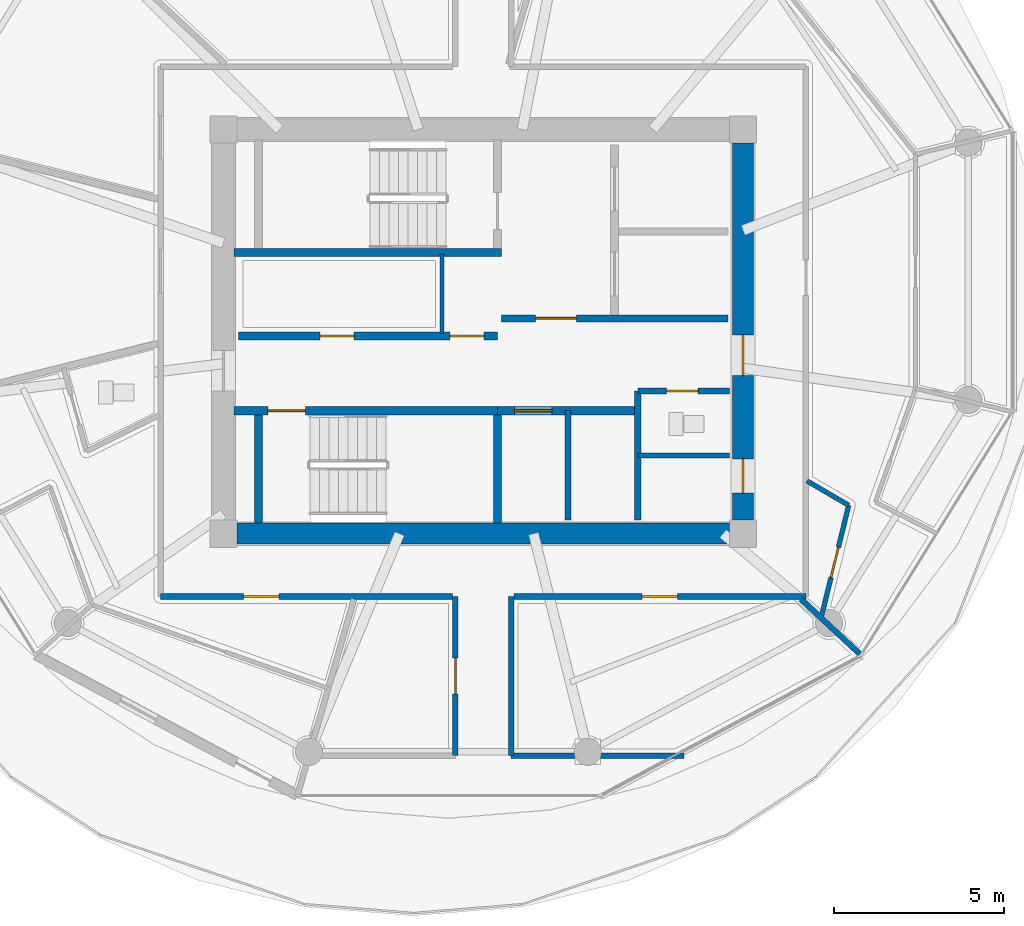
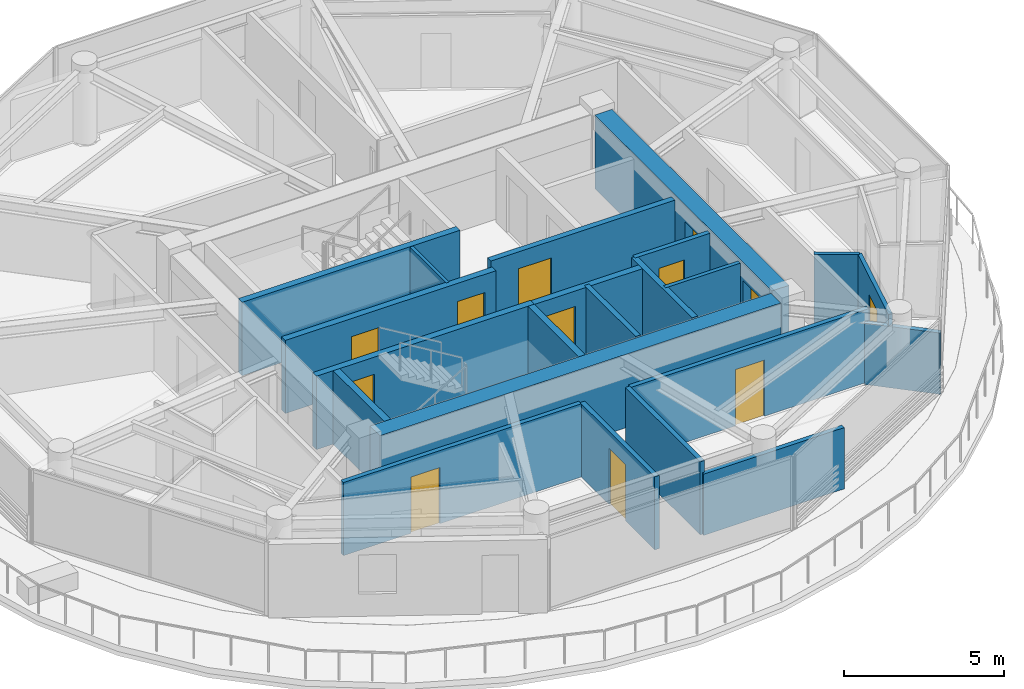
# One storey, part 16 of 28: 22 walls, 12 doors, 12 openings.
"""IFC4 building model written with IfcOpenShell, lengths in metres."""

from ifc_helpers import new_model, si_unit, direction, frame, frame_2d, origin, place, context, subcontext, project, spatial, rectangle, extrude, source, transform, mapped, material, layer, layer_set, type_object, type_shapes, element, fill, save


model = new_model("IFC4")

# Units and contexts
model_context = context("Model", 3, precision=1e-05, world=origin(), true_north=direction((0.0, 1.0)))
body_context = subcontext(model_context, "Body", "Model", "MODEL_VIEW")
ifc_project = project(units=[si_unit("LENGTHUNIT", "METRE"), si_unit("AREAUNIT", "SQUARE_METRE"), si_unit("VOLUMEUNIT", "CUBIC_METRE"), si_unit("PLANEANGLEUNIT", "RADIAN"), si_unit("MASSUNIT", "GRAM", prefix="KILO")], contexts=[model_context])

# Site, building, storey
site_placement = place(None, origin())
site = spatial("IfcSite", under=ifc_project, at=site_placement, CompositionType="ELEMENT")
building_placement = place(site_placement, origin())
building = spatial("IfcBuilding", under=site, at=building_placement, Name="Norrkilde Senior Care Towers", CompositionType="ELEMENT")
storey_placement = place(building_placement, frame((0.0, 0.0, 134.300048828125)))
storey = spatial("IfcBuildingStorey", under=building, at=storey_placement, Name="L41", CompositionType="ELEMENT", Elevation=134.300048828125)

# Wall
ifc_material_1 = material(Name="Concrete C50/60", Category="concrete")
ifc_layer_1 = layer(ifc_material_1, 0.6201171875)
ifc_layer_set_1 = layer_set([ifc_layer_1], Name="Concrete C50/60")
wall_type_1 = type_object("IfcWallType", Name="Core Shear Wall Z3 620", PredefinedType="SHEAR", material=ifc_layer_set_1)
shared_shape_1 = source(origin(), body_context, "Body", "SweptSolid", [
    extrude(rectangle(XDim=14.5, YDim=0.6201171875, at=frame_2d((7.25, 0.0))), origin(), (0.0, 0.0, 1.0), 2.81005859375),
])
wall_1_placement = place(storey_placement, frame((35.25, -5.949951171875, 0.0), z_axis=(0.0, 0.0, 1.0), x_axis=(-1.0, 0.0, 0.0)))
element("IfcWall", 1, at=wall_1_placement, inside=storey, type_object=wall_type_1, Name="L41 Core E South Shear Wall", PredefinedType="SHEAR", context=body_context, shape_type="MappedRepresentation", body=[
    mapped(shared_shape_1, transform((0.0, 0.0, 0.0), x_axis=(1.0, 0.0, 0.0), y_axis=(0.0, 1.0, 0.0), z_axis=(0.0, 0.0, 1.0), scale=1.0)),
])

# Wall, openings, doors
shared_shape_2 = source(origin(), body_context, "Body", "SweptSolid", [
    extrude(rectangle(XDim=11.10009765625, YDim=0.6201171875, at=frame_2d((5.550048828125, 0.0))), origin(), (0.0, 0.0, 1.0), 2.81005859375),
])
type_shapes(wall_type_1, [shared_shape_1, shared_shape_2])
wall_2_placement = place(storey_placement, frame((35.64990234375, 5.550048828125, 0.0), z_axis=(0.0, 0.0, 1.0), x_axis=(0.0, -1.0, 0.0)))
wall_2 = element("IfcWall", 2, at=wall_2_placement, inside=storey, type_object=wall_type_1, Name="L41 Core E East Shear Wall", PredefinedType="SHEAR", context=body_context, shape_type="MappedRepresentation", body=[
    mapped(shared_shape_2, transform((0.0, 0.0, 0.0), x_axis=(1.0, 0.0, 0.0), y_axis=(0.0, 1.0, 0.0), z_axis=(0.0, 0.0, 1.0), scale=1.0)),
])
opening_1_placement = place(wall_2_placement, frame((5.64990234375, 0.0, 0.0)))
opening_1 = element("IfcOpeningElement", 3, at=opening_1_placement, cuts=wall_2, Name="Opening D-04", PredefinedType="OPENING", context=body_context, shape_type="SweptSolid", body=[
    extrude(rectangle(XDim=1.199951171875, YDim=2.14990234375, at=frame_2d((0.60009765625, 1.074951171875))), frame((0.0, 0.320068359375, 0.0), z_axis=(0.0, -1.0, 0.0), x_axis=(1.0, 0.0, 0.0)), (0.0, 0.0, 1.0), 0.64013671875),
])
opening_2_placement = place(wall_2_placement, frame((9.300048828125, 0.0, 0.0)))
opening_2 = element("IfcOpeningElement", 4, at=opening_2_placement, cuts=wall_2, Name="Opening D-10", PredefinedType="OPENING", context=body_context, shape_type="SweptSolid", body=[
    extrude(rectangle(XDim=1.0, YDim=2.10009765625, at=frame_2d((0.5, 1.050048828125))), frame((0.0, 0.320068359375, 0.0), z_axis=(0.0, -1.0, 0.0), x_axis=(1.0, 0.0, 0.0)), (0.0, 0.0, 1.0), 0.64013671875),
])
ifc_material_2 = material(Name="Galvanised Painted Steel", Category="steel")
door_type_1 = type_object("IfcDoorType", Name="Firefighting Lobby Fire Door 1200x2150", OperationType="NOTDEFINED", PredefinedType="DOOR", material=ifc_material_2)
shared_shape_3 = source(origin(), body_context, "Body", "SweptSolid", [
    extrude(rectangle(XDim=1.199951171875, YDim=2.14990234375, at=frame_2d((0.60009765625, 1.074951171875))), frame((0.0, 0.02490234375, 0.0), z_axis=(0.0, -1.0, 0.0), x_axis=(1.0, 0.0, 0.0)), (0.0, 0.0, 1.0), 0.050048828125),
])
type_shapes(door_type_1, [shared_shape_3])
door_1_placement = place(opening_1_placement, frame((1.199951171875, 0.0, 0.0), z_axis=(0.0, 0.0, 1.0), x_axis=(-1.0, 0.0, 0.0)))
door_1 = element("IfcDoor", 5, at=door_1_placement, inside=storey, type_object=door_type_1, Name="L41 Core E East Portal Door", OperationType="SINGLE_SWING_RIGHT", OverallHeight=2.14990234375, OverallWidth=1.199951171875, PredefinedType="DOOR", context=body_context, shape_type="MappedRepresentation", body=[
    mapped(shared_shape_3, transform((0.0, 0.0, 0.0), x_axis=(1.0, 0.0, 0.0), y_axis=(0.0, 1.0, 0.0), z_axis=(0.0, 0.0, 1.0), scale=1.0)),
])
fill(opening_1, door_1)
door_type_2 = type_object("IfcDoorType", Name="Plant and Riser Rated Door 1000x2100", OperationType="NOTDEFINED", PredefinedType="DOOR", material=ifc_material_2)
shared_shape_4 = source(origin(), body_context, "Body", "SweptSolid", [
    extrude(rectangle(XDim=1.0, YDim=2.10009765625, at=frame_2d((0.5, 1.050048828125))), frame((0.0, 0.02490234375, 0.0), z_axis=(0.0, -1.0, 0.0), x_axis=(1.0, 0.0, 0.0)), (0.0, 0.0, 1.0), 0.050048828125),
])
type_shapes(door_type_2, [shared_shape_4])
door_2_placement = place(opening_2_placement, frame((1.0, 0.0, 0.0), z_axis=(0.0, 0.0, 1.0), x_axis=(-1.0, 0.0, 0.0)))
door_2 = element("IfcDoor", 6, at=door_2_placement, inside=storey, type_object=door_type_2, Name="L41 Ventilation Riser E Door", OperationType="SINGLE_SWING_RIGHT", OverallHeight=2.10009765625, OverallWidth=1.0, PredefinedType="DOOR", context=body_context, shape_type="MappedRepresentation", body=[
    mapped(shared_shape_4, transform((0.0, 0.0, 0.0), x_axis=(1.0, 0.0, 0.0), y_axis=(0.0, 1.0, 0.0), z_axis=(0.0, 0.0, 1.0), scale=1.0)),
])
fill(opening_2, door_2)

# Wall
ifc_material_3 = material(Name="Concrete C45/55", Category="concrete")
ifc_layer_2 = layer(ifc_material_3, 0.239990234375)
ifc_layer_set_2 = layer_set([ifc_layer_2], Name="Concrete C45/55")
wall_type_2 = type_object("IfcWallType", Name="Shaft and Stair Enclosure Wall 240", PredefinedType="PARTITIONING", material=ifc_layer_set_2)
shared_shape_5 = source(origin(), body_context, "Body", "SweptSolid", [
    extrude(rectangle(XDim=7.880126953125, YDim=0.239990234375, at=frame_2d((3.93994140625, 0.0))), origin(), (0.0, 0.0, 1.0), 2.81005859375),
])
wall_3_placement = place(storey_placement, frame((20.659912109375, 2.330078125, 0.0), z_axis=(0.0, 0.0, 1.0), x_axis=(1.0, 0.0, 0.0)))
element("IfcWall", 7, at=wall_3_placement, inside=storey, type_object=wall_type_2, Name="WL-INT-L41-E-ST1S", PredefinedType="PARTITIONING", context=body_context, shape_type="MappedRepresentation", body=[
    mapped(shared_shape_5, transform((0.0, 0.0, 0.0), x_axis=(1.0, 0.0, 0.0), y_axis=(0.0, 1.0, 0.0), z_axis=(0.0, 0.0, 1.0), scale=1.0)),
])

# Wall, opening, door
wall_4_placement = place(storey_placement, frame((20.659912109375, -2.330078125, 0.0), z_axis=(0.0, 0.0, 1.0), x_axis=(1.0, 0.0, 0.0)))
wall_4 = element("IfcWall", 8, at=wall_4_placement, inside=storey, type_object=wall_type_2, Name="WL-INT-L41-E-ST2N", PredefinedType="PARTITIONING", context=body_context, shape_type="MappedRepresentation", body=[
    mapped(shared_shape_5, transform((0.0, 0.0, 0.0), x_axis=(1.0, 0.0, 0.0), y_axis=(0.0, 1.0, 0.0), z_axis=(0.0, 0.0, 1.0), scale=1.0)),
])
opening_3_placement = place(wall_4_placement, frame((1.0, 0.0, 0.0)))
opening_3 = element("IfcOpeningElement", 9, at=opening_3_placement, cuts=wall_4, Name="Opening D-03", PredefinedType="OPENING", context=body_context, shape_type="SweptSolid", body=[
    extrude(rectangle(XDim=1.10009765625, YDim=2.14990234375, at=frame_2d((0.550048828125, 1.074951171875))), frame((0.0, 0.1298828125, 0.0), z_axis=(0.0, -1.0, 0.0), x_axis=(1.0, 0.0, 0.0)), (0.0, 0.0, 1.0), 0.260009765625),
])
door_type_3 = type_object("IfcDoorType", Name="Stairwell Protected Fire Door 1100x2150", OperationType="NOTDEFINED", PredefinedType="DOOR", material=ifc_material_2)
shared_shape_6 = source(origin(), body_context, "Body", "SweptSolid", [
    extrude(rectangle(XDim=1.10009765625, YDim=2.14990234375, at=frame_2d((0.550048828125, 1.074951171875))), frame((0.0, 0.02490234375, 0.0), z_axis=(0.0, -1.0, 0.0), x_axis=(1.0, 0.0, 0.0)), (0.0, 0.0, 1.0), 0.050048828125),
])
type_shapes(door_type_3, [shared_shape_6])
door_3_placement = place(opening_3_placement, frame((1.10009765625, 0.0, 0.0), z_axis=(0.0, 0.0, 1.0), x_axis=(-1.0, 0.0, 0.0)))
door_3 = element("IfcDoor", 10, at=door_3_placement, inside=storey, type_object=door_type_3, Name="L41 Stair E2 Fire Door", OperationType="SINGLE_SWING_RIGHT", OverallHeight=2.14990234375, OverallWidth=1.10009765625, PredefinedType="DOOR", context=body_context, shape_type="MappedRepresentation", body=[
    mapped(shared_shape_6, transform((0.0, 0.0, 0.0), x_axis=(1.0, 0.0, 0.0), y_axis=(0.0, 1.0, 0.0), z_axis=(0.0, 0.0, 1.0), scale=1.0)),
])
fill(opening_3, door_3)

# Walls
shared_shape_7 = source(origin(), body_context, "Body", "SweptSolid", [
    extrude(rectangle(XDim=3.18994140625, YDim=0.239990234375, at=frame_2d((1.594970703125, 0.0))), origin(), (0.0, 0.0, 1.0), 2.81005859375),
])
type_shapes(wall_type_2, [shared_shape_5, shared_shape_7])
for number, where, z_axis, x_axis, name in (
    (11, (21.3798828125, -5.639892578125, 0.0), (0.0, 0.0, 1.0), (0.0, 1.0, 0.0), "WL-INT-L41-E-ST2W"),
    (12, (28.419921875, -5.639892578125, 0.0), (0.0, 0.0, 1.0), (0.0, 1.0, 0.0), "WL-INT-L41-E-ST2E"),
):
    element("IfcWall", number, at=place(storey_placement, frame(where, z_axis=z_axis, x_axis=x_axis)), inside=storey, type_object=wall_type_2, Name=name, PredefinedType="PARTITIONING", context=body_context, shape_type="MappedRepresentation", body=[
        mapped(shared_shape_7, transform((0.0, 0.0, 0.0), x_axis=(1.0, 0.0, 0.0), y_axis=(0.0, 1.0, 0.0), z_axis=(0.0, 0.0, 1.0), scale=1.0)),
    ])

# Wall, opening, door
ifc_layer_3 = layer(ifc_material_3, 0.2099609375)
ifc_layer_set_3 = layer_set([ifc_layer_3], Name="Concrete C45/55")
wall_type_3 = type_object("IfcWallType", Name="Firefighting Lobby Wall 210", PredefinedType="PARTITIONING", material=ifc_layer_set_3)
shared_shape_8 = source(origin(), body_context, "Body", "SweptSolid", [
    extrude(rectangle(XDim=6.659912109375, YDim=0.2099609375, at=frame_2d((3.330078125, 0.0))), origin(), (0.0, 0.0, 1.0), 2.794921875),
])
type_shapes(wall_type_3, [shared_shape_8])
wall_5_placement = place(storey_placement, frame((28.5400390625, 0.389892578125, 0.0), z_axis=(0.0, 0.0, 1.0), x_axis=(1.0, 0.0, 0.0)))
wall_5 = element("IfcWall", 13, at=wall_5_placement, inside=storey, type_object=wall_type_3, Name="WL-INT-L41-E-FFLS", PredefinedType="PARTITIONING", context=body_context, shape_type="MappedRepresentation", body=[
    mapped(shared_shape_8, transform((0.0, 0.0, 0.0), x_axis=(1.0, 0.0, 0.0), y_axis=(0.0, 1.0, 0.0), z_axis=(0.0, 0.0, 1.0), scale=1.0)),
])
opening_4_placement = place(wall_5_placement, frame((1.0, 0.0, 0.0)))
opening_4 = element("IfcOpeningElement", 14, at=opening_4_placement, cuts=wall_5, Name="Opening D-04", PredefinedType="OPENING", context=body_context, shape_type="SweptSolid", body=[
    extrude(rectangle(XDim=1.199951171875, YDim=2.14990234375, at=frame_2d((0.60009765625, 1.074951171875))), frame((0.0, 0.114990234375, 0.0), z_axis=(0.0, -1.0, 0.0), x_axis=(1.0, 0.0, 0.0)), (0.0, 0.0, 1.0), 0.22998046875),
])
door_4_placement = place(opening_4_placement, frame((1.199951171875, 0.0, 0.0), z_axis=(0.0, 0.0, 1.0), x_axis=(-1.0, 0.0, 0.0)))
door_4 = element("IfcDoor", 15, at=door_4_placement, inside=storey, type_object=door_type_1, Name="L41 Firefighting Lobby E Door", OperationType="SINGLE_SWING_LEFT", OverallHeight=2.14990234375, OverallWidth=1.199951171875, PredefinedType="DOOR", context=body_context, shape_type="MappedRepresentation", body=[
    mapped(shared_shape_3, transform((0.0, 0.0, 0.0), x_axis=(1.0, 0.0, 0.0), y_axis=(0.0, 1.0, 0.0), z_axis=(0.0, 0.0, 1.0), scale=1.0)),
])
fill(opening_4, door_4)

# Wall, openings, doors
ifc_layer_4 = layer(ifc_material_3, 0.239990234375)
ifc_layer_set_4 = layer_set([ifc_layer_4], Name="Concrete C45/55")
wall_type_4 = type_object("IfcWallType", Name="Lift and Plant Rated Enclosure Partition 240", PredefinedType="PARTITIONING", material=ifc_layer_set_4)
shared_shape_9 = source(origin(), body_context, "Body", "SweptSolid", [
    extrude(rectangle(XDim=7.619873046875, YDim=0.239990234375, at=frame_2d((3.81005859375, 0.0))), origin(), (0.0, 0.0, 1.0), 2.794921875),
])
wall_6_placement = place(storey_placement, frame((20.800048828125, -0.1298828125, 0.0), z_axis=(0.0, 0.0, 1.0), x_axis=(1.0, 0.0, 0.0)))
wall_6 = element("IfcWall", 16, at=wall_6_placement, inside=storey, type_object=wall_type_4, Name="WL-INT-L41-E-PKAS", PredefinedType="PARTITIONING", context=body_context, shape_type="MappedRepresentation", body=[
    mapped(shared_shape_9, transform((0.0, 0.0, 0.0), x_axis=(1.0, 0.0, 0.0), y_axis=(0.0, 1.0, 0.0), z_axis=(0.0, 0.0, 1.0), scale=1.0)),
])
opening_5_placement = place(wall_6_placement, frame((6.219970703125, 0.0, 0.0)))
opening_5 = element("IfcOpeningElement", 17, at=opening_5_placement, cuts=wall_6, Name="Opening D-10", PredefinedType="OPENING", context=body_context, shape_type="SweptSolid", body=[
    extrude(rectangle(XDim=1.0, YDim=2.10009765625, at=frame_2d((0.5, 1.050048828125))), frame((0.0, 0.1298828125, 0.0), z_axis=(0.0, -1.0, 0.0), x_axis=(1.0, 0.0, 0.0)), (0.0, 0.0, 1.0), 0.260009765625),
])
opening_6_placement = place(wall_6_placement, frame((2.39990234375, 0.0, 0.0)))
opening_6 = element("IfcOpeningElement", 18, at=opening_6_placement, cuts=wall_6, Name="Opening D-10", PredefinedType="OPENING", context=body_context, shape_type="SweptSolid", body=[
    extrude(rectangle(XDim=1.0, YDim=2.10009765625, at=frame_2d((0.5, 1.050048828125))), frame((0.0, 0.1298828125, 0.0), z_axis=(0.0, -1.0, 0.0), x_axis=(1.0, 0.0, 0.0)), (0.0, 0.0, 1.0), 0.260009765625),
])
door_5_placement = place(opening_5_placement, frame((1.0, 0.0, 0.0), z_axis=(0.0, 0.0, 1.0), x_axis=(-1.0, 0.0, 0.0)))
door_5 = element("IfcDoor", 19, at=door_5_placement, inside=storey, type_object=door_type_2, Name="L41 Electrical Riser E Door", OperationType="SINGLE_SWING_LEFT", OverallHeight=2.10009765625, OverallWidth=1.0, PredefinedType="DOOR", context=body_context, shape_type="MappedRepresentation", body=[
    mapped(shared_shape_4, transform((0.0, 0.0, 0.0), x_axis=(1.0, 0.0, 0.0), y_axis=(0.0, 1.0, 0.0), z_axis=(0.0, 0.0, 1.0), scale=1.0)),
])
fill(opening_5, door_5)
door_6_placement = place(opening_6_placement, frame((1.0, 0.0, 0.0), z_axis=(0.0, 0.0, 1.0), x_axis=(-1.0, 0.0, 0.0)))
door_6 = element("IfcDoor", 20, at=door_6_placement, inside=storey, type_object=door_type_2, Name="L41 Clean Supply Store E Door", OperationType="SINGLE_SWING_LEFT", OverallHeight=2.10009765625, OverallWidth=1.0, PredefinedType="DOOR", context=body_context, shape_type="MappedRepresentation", body=[
    mapped(shared_shape_4, transform((0.0, 0.0, 0.0), x_axis=(1.0, 0.0, 0.0), y_axis=(0.0, 1.0, 0.0), z_axis=(0.0, 0.0, 1.0), scale=1.0)),
])
fill(opening_6, door_6)

# Walls
ifc_material_4 = material(Name="Gypsum Acoustic Board")
ifc_layer_5 = layer(ifc_material_4, 0.114990234375)
ifc_layer_set_5 = layer_set([ifc_layer_5], Name="Gypsum Acoustic Board")
wall_type_5 = type_object("IfcWallType", Name="Internal Room Partition 115", PredefinedType="PARTITIONING", material=ifc_layer_set_5)
shared_shape_10 = source(origin(), body_context, "Body", "SweptSolid", [
    extrude(rectangle(XDim=2.330078125, YDim=0.114990234375, at=frame_2d((1.1650390625, 0.0))), origin(), (0.0, 0.0, 1.0), 2.794921875),
])
type_shapes(wall_type_5, [shared_shape_10])
wall_7_placement = place(storey_placement, frame((26.7900390625, -0.050048828125, 0.0), z_axis=(0.0, 0.0, 1.0), x_axis=(0.0, 1.0, 0.0)))
element("IfcWall", 21, at=wall_7_placement, inside=storey, type_object=wall_type_5, Name="WL-INT-L41-E-RISW", PredefinedType="PARTITIONING", context=body_context, shape_type="MappedRepresentation", body=[
    mapped(shared_shape_10, transform((0.0, 0.0, 0.0), x_axis=(1.0, 0.0, 0.0), y_axis=(0.0, 1.0, 0.0), z_axis=(0.0, 0.0, 1.0), scale=1.0)),
])
ifc_layer_6 = layer(ifc_material_3, 0.199951171875)
ifc_layer_set_6 = layer_set([ifc_layer_6], Name="Concrete C45/55")
wall_type_6 = type_object("IfcWallType", Name="Shaft Division and Plant Partition 200", PredefinedType="PARTITIONING", material=ifc_layer_set_6)
shared_shape_11 = source(origin(), body_context, "Body", "SweptSolid", [
    extrude(rectangle(XDim=3.800048828125, YDim=0.199951171875, at=frame_2d((1.89990234375, 0.0))), origin(), (0.0, 0.0, 1.0), 2.794921875),
])
type_shapes(wall_type_6, [shared_shape_11])
wall_8_placement = place(storey_placement, frame((32.550048828125, -5.550048828125, 0.0), z_axis=(0.0, 0.0, 1.0), x_axis=(0.0, 1.0, 0.0)))
element("IfcWall", 22, at=wall_8_placement, inside=storey, type_object=wall_type_6, Name="WL-INT-L41-E-PKBE", PredefinedType="PARTITIONING", context=body_context, shape_type="MappedRepresentation", body=[
    mapped(shared_shape_11, transform((0.0, 0.0, 0.0), x_axis=(1.0, 0.0, 0.0), y_axis=(0.0, 1.0, 0.0), z_axis=(0.0, 0.0, 1.0), scale=1.0)),
])

# Wall, opening, door
shared_shape_12 = source(origin(), body_context, "Body", "SweptSolid", [
    extrude(rectangle(XDim=4.130126953125, YDim=0.239990234375, at=frame_2d((2.06494140625, 0.0))), origin(), (0.0, 0.0, 1.0), 2.794921875),
])
type_shapes(wall_type_4, [shared_shape_9, shared_shape_12])
wall_9_placement = place(storey_placement, frame((28.419921875, -2.330078125, 0.0), z_axis=(0.0, 0.0, 1.0), x_axis=(1.0, 0.0, 0.0)))
wall_9 = element("IfcWall", 23, at=wall_9_placement, inside=storey, type_object=wall_type_4, Name="WL-INT-L41-E-PKBN", PredefinedType="PARTITIONING", context=body_context, shape_type="MappedRepresentation", body=[
    mapped(shared_shape_12, transform((0.0, 0.0, 0.0), x_axis=(1.0, 0.0, 0.0), y_axis=(0.0, 1.0, 0.0), z_axis=(0.0, 0.0, 1.0), scale=1.0)),
])
opening_7_placement = place(wall_9_placement, frame((0.5, 0.0, 0.0)))
opening_7 = element("IfcOpeningElement", 24, at=opening_7_placement, cuts=wall_9, Name="Opening LD-01", PredefinedType="OPENING", context=body_context, shape_type="SweptSolid", body=[
    extrude(rectangle(XDim=1.10009765625, YDim=2.199951171875, at=frame_2d((0.550048828125, 1.10009765625))), frame((0.0, 0.1298828125, 0.0), z_axis=(0.0, -1.0, 0.0), x_axis=(1.0, 0.0, 0.0)), (0.0, 0.0, 1.0), 0.260009765625),
])
ifc_material_5 = material(Name="Stainless Steel", Category="steel")
door_type_4 = type_object("IfcDoorType", Name="Lift Landing Sliding Door 1100x2200", OperationType="NOTDEFINED", PredefinedType="DOOR", material=ifc_material_5)
shared_shape_13 = source(origin(), body_context, "Body", "SweptSolid", [
    extrude(rectangle(XDim=1.10009765625, YDim=2.199951171875, at=frame_2d((0.550048828125, 1.10009765625))), frame((0.0, 0.02490234375, 0.0), z_axis=(0.0, -1.0, 0.0), x_axis=(1.0, 0.0, 0.0)), (0.0, 0.0, 1.0), 0.050048828125),
])
type_shapes(door_type_4, [shared_shape_13])
door_7_placement = place(opening_7_placement, frame((1.10009765625, 0.0, 0.0), z_axis=(0.0, 0.0, 1.0), x_axis=(-1.0, 0.0, 0.0)))
door_7 = element("IfcDoor", 25, at=door_7_placement, inside=storey, type_object=door_type_4, Name="L41 Passenger Lift E3 Landing Door", OperationType="SLIDING_TO_LEFT", OverallHeight=2.199951171875, OverallWidth=1.10009765625, PredefinedType="DOOR", context=body_context, shape_type="MappedRepresentation", body=[
    mapped(shared_shape_13, transform((0.0, 0.0, 0.0), x_axis=(1.0, 0.0, 0.0), y_axis=(0.0, 1.0, 0.0), z_axis=(0.0, 0.0, 1.0), scale=1.0)),
])
fill(opening_7, door_7)

# Wall
ifc_layer_7 = layer(ifc_material_3, 0.179931640625)
ifc_layer_set_7 = layer_set([ifc_layer_7], Name="Concrete C45/55")
wall_type_7 = type_object("IfcWallType", Name="Hoistway Division Rated Partition 180", PredefinedType="PARTITIONING", material=ifc_layer_set_7)
shared_shape_14 = source(origin(), body_context, "Body", "SweptSolid", [
    extrude(rectangle(XDim=3.219970703125, YDim=0.179931640625, at=frame_2d((1.60986328125, 0.0))), origin(), (0.0, 0.0, 1.0), 2.794921875),
])
type_shapes(wall_type_7, [shared_shape_14])
wall_10_placement = place(storey_placement, frame((30.5, -5.550048828125, 0.0), z_axis=(0.0, 0.0, 1.0), x_axis=(0.0, 1.0, 0.0)))
element("IfcWall", 26, at=wall_10_placement, inside=storey, type_object=wall_type_7, Name="WL-INT-L41-E-PL34", PredefinedType="PARTITIONING", context=body_context, shape_type="MappedRepresentation", body=[
    mapped(shared_shape_14, transform((0.0, 0.0, 0.0), x_axis=(1.0, 0.0, 0.0), y_axis=(0.0, 1.0, 0.0), z_axis=(0.0, 0.0, 1.0), scale=1.0)),
])

# Wall, opening, door
ifc_layer_8 = layer(ifc_material_4, 0.1650390625)
ifc_layer_set_8 = layer_set([ifc_layer_8], Name="Gypsum Acoustic Board")
wall_type_8 = type_object("IfcWallType", Name="Corridor Rated Partition 165", PredefinedType="PARTITIONING", material=ifc_layer_set_8)
shared_shape_15 = source(origin(), body_context, "Body", "SweptSolid", [
    extrude(rectangle(XDim=2.699951171875, YDim=0.1650390625, at=frame_2d((1.35009765625, 0.0))), origin(), (0.0, 0.0, 1.0), 2.794921875),
])
wall_11_placement = place(storey_placement, frame((32.550048828125, -1.75, 0.0), z_axis=(0.0, 0.0, 1.0), x_axis=(1.0, 0.0, 0.0)))
wall_11 = element("IfcWall", 27, at=wall_11_placement, inside=storey, type_object=wall_type_8, Name="WL-INT-L41-E-CSN", PredefinedType="PARTITIONING", context=body_context, shape_type="MappedRepresentation", body=[
    mapped(shared_shape_15, transform((0.0, 0.0, 0.0), x_axis=(1.0, 0.0, 0.0), y_axis=(0.0, 1.0, 0.0), z_axis=(0.0, 0.0, 1.0), scale=1.0)),
])
opening_8_placement = place(wall_11_placement, frame((0.85009765625, 0.0, 0.0)))
opening_8 = element("IfcOpeningElement", 28, at=opening_8_placement, cuts=wall_11, Name="Opening D-12", PredefinedType="OPENING", context=body_context, shape_type="SweptSolid", body=[
    extrude(rectangle(XDim=0.925048828125, YDim=2.10009765625, at=frame_2d((0.46240234375, 1.050048828125))), frame((0.0, 0.092529296875, 0.0), z_axis=(0.0, -1.0, 0.0), x_axis=(1.0, 0.0, 0.0)), (0.0, 0.0, 1.0), 0.18505859375),
])
door_type_5 = type_object("IfcDoorType", Name="Core Wet Room Rated Door 925x2100", OperationType="NOTDEFINED", PredefinedType="DOOR", material=ifc_material_2)
shared_shape_16 = source(origin(), body_context, "Body", "SweptSolid", [
    extrude(rectangle(XDim=0.925048828125, YDim=2.10009765625, at=frame_2d((0.46240234375, 1.050048828125))), frame((0.0, 0.02490234375, 0.0), z_axis=(0.0, -1.0, 0.0), x_axis=(1.0, 0.0, 0.0)), (0.0, 0.0, 1.0), 0.050048828125),
])
type_shapes(door_type_5, [shared_shape_16])
door_8_placement = place(opening_8_placement, origin())
door_8 = element("IfcDoor", 29, at=door_8_placement, inside=storey, type_object=door_type_5, Name="L41 Staff WC E Door", OperationType="SINGLE_SWING_LEFT", OverallHeight=2.10009765625, OverallWidth=0.925048828125, PredefinedType="DOOR", context=body_context, shape_type="MappedRepresentation", body=[
    mapped(shared_shape_16, transform((0.0, 0.0, 0.0), x_axis=(1.0, 0.0, 0.0), y_axis=(0.0, 1.0, 0.0), z_axis=(0.0, 0.0, 1.0), scale=1.0)),
])
fill(opening_8, door_8)

# Wall
ifc_layer_9 = layer(ifc_material_4, 0.139892578125)
ifc_layer_set_9 = layer_set([ifc_layer_9], Name="Gypsum Acoustic Board")
wall_type_9 = type_object("IfcWallType", Name="En-suite Wet Room Wall 140", PredefinedType="PARTITIONING", material=ifc_layer_set_9)
shared_shape_17 = source(origin(), body_context, "Body", "SweptSolid", [
    extrude(rectangle(XDim=2.699951171875, YDim=0.139892578125, at=frame_2d((1.35009765625, 0.0))), origin(), (0.0, 0.0, 1.0), 2.794921875),
])
wall_12_placement = place(storey_placement, frame((32.550048828125, -3.64990234375, 0.0), z_axis=(0.0, 0.0, 1.0), x_axis=(1.0, 0.0, 0.0)))
element("IfcWall", 30, at=wall_12_placement, inside=storey, type_object=wall_type_9, Name="WL-INT-L41-E-CS2H", PredefinedType="PARTITIONING", context=body_context, shape_type="MappedRepresentation", body=[
    mapped(shared_shape_17, transform((0.0, 0.0, 0.0), x_axis=(1.0, 0.0, 0.0), y_axis=(0.0, 1.0, 0.0), z_axis=(0.0, 0.0, 1.0), scale=1.0)),
])

# Wall, opening, door
shared_shape_18 = source(origin(), body_context, "Body", "SweptSolid", [
    extrude(rectangle(XDim=8.60009765625, YDim=0.1650390625, at=frame_2d((4.300048828125, 0.0))), origin(), (0.0, 0.0, 1.0), 2.794921875),
])
wall_13_placement = place(storey_placement, frame((37.5, -7.800048828125, 0.0), z_axis=(0.0, 0.0, 1.0), x_axis=(-1.0, 0.0, 0.0)))
wall_13 = element("IfcWall", 31, at=wall_13_placement, inside=storey, type_object=wall_type_8, Name="WL-INT-L41-E-CRW-S-0", PredefinedType="PARTITIONING", context=body_context, shape_type="MappedRepresentation", body=[
    mapped(shared_shape_18, transform((0.0, 0.0, 0.0), x_axis=(1.0, 0.0, 0.0), y_axis=(0.0, 1.0, 0.0), z_axis=(0.0, 0.0, 1.0), scale=1.0)),
])
opening_9_placement = place(wall_13_placement, frame((3.77490234375, 0.0, 0.0)))
opening_9 = element("IfcOpeningElement", 32, at=opening_9_placement, cuts=wall_13, Name="Opening D-06", PredefinedType="OPENING", context=body_context, shape_type="SweptSolid", body=[
    extrude(rectangle(XDim=1.050048828125, YDim=2.14990234375, at=frame_2d((0.52490234375, 1.074951171875))), frame((0.0, 0.092529296875, 0.0), z_axis=(0.0, -1.0, 0.0), x_axis=(1.0, 0.0, 0.0)), (0.0, 0.0, 1.0), 0.18505859375),
])
ifc_material_6 = material(Name="Nordic Ash Timber", Category="wood")
door_type_6 = type_object("IfcDoorType", Name="Apartment Entrance Fire Door 1050x2150", OperationType="NOTDEFINED", PredefinedType="DOOR", material=ifc_material_6)
shared_shape_19 = source(origin(), body_context, "Body", "SweptSolid", [
    extrude(rectangle(XDim=1.050048828125, YDim=2.14990234375, at=frame_2d((0.52490234375, 1.074951171875))), frame((0.0, 0.02490234375, 0.0), z_axis=(0.0, -1.0, 0.0), x_axis=(1.0, 0.0, 0.0)), (0.0, 0.0, 1.0), 0.050048828125),
])
type_shapes(door_type_6, [shared_shape_19])
door_9_placement = place(opening_9_placement, frame((1.050048828125, 0.0, 0.0), z_axis=(0.0, 0.0, 1.0), x_axis=(-1.0, 0.0, 0.0)))
door_9 = element("IfcDoor", 33, at=door_9_placement, inside=storey, type_object=door_type_6, Name="L41 Reading Lounge SEL Door", OperationType="SINGLE_SWING_RIGHT", OverallHeight=2.14990234375, OverallWidth=1.050048828125, PredefinedType="DOOR", context=body_context, shape_type="MappedRepresentation", body=[
    mapped(shared_shape_19, transform((0.0, 0.0, 0.0), x_axis=(1.0, 0.0, 0.0), y_axis=(0.0, 1.0, 0.0), z_axis=(0.0, 0.0, 1.0), scale=1.0)),
])
fill(opening_9, door_9)

wall_14_placement = place(storey_placement, frame((27.10009765625, -7.800048828125, 0.0), z_axis=(0.0, 0.0, 1.0), x_axis=(-1.0, 0.0, 0.0)))
wall_14 = element("IfcWall", 34, at=wall_14_placement, inside=storey, type_object=wall_type_8, Name="WL-INT-L41-E-CRW-S-1", PredefinedType="PARTITIONING", context=body_context, shape_type="MappedRepresentation", body=[
    mapped(shared_shape_18, transform((0.0, 0.0, 0.0), x_axis=(1.0, 0.0, 0.0), y_axis=(0.0, 1.0, 0.0), z_axis=(0.0, 0.0, 1.0), scale=1.0)),
])
opening_10_placement = place(wall_14_placement, frame((5.11474609375, 0.0, 0.0)))
opening_10 = element("IfcOpeningElement", 35, at=opening_10_placement, cuts=wall_14, Name="Opening D-06", PredefinedType="OPENING", context=body_context, shape_type="SweptSolid", body=[
    extrude(rectangle(XDim=1.050048828125, YDim=2.14990234375, at=frame_2d((0.52490234375, 1.074951171875))), frame((0.0, 0.092529296875, 0.0), z_axis=(0.0, -1.0, 0.0), x_axis=(1.0, 0.0, 0.0)), (0.0, 0.0, 1.0), 0.18505859375),
])
door_10_placement = place(opening_10_placement, frame((1.050048828125, 0.0, 0.0), z_axis=(0.0, 0.0, 1.0), x_axis=(-1.0, 0.0, 0.0)))
door_10 = element("IfcDoor", 36, at=door_10_placement, inside=storey, type_object=door_type_6, Name="Apartment 41C Entrance Door", OperationType="SINGLE_SWING_LEFT", OverallHeight=2.14990234375, OverallWidth=1.050048828125, PredefinedType="DOOR", context=body_context, shape_type="MappedRepresentation", body=[
    mapped(shared_shape_19, transform((0.0, 0.0, 0.0), x_axis=(1.0, 0.0, 0.0), y_axis=(0.0, 1.0, 0.0), z_axis=(0.0, 0.0, 1.0), scale=1.0)),
])
fill(opening_10, door_10)

shared_shape_20 = source(origin(), body_context, "Body", "SweptSolid", [
    extrude(rectangle(XDim=4.6845703125, YDim=0.1650390625, at=frame_2d((2.34228515625, 0.0))), origin(), (0.0, 0.0, 1.0), 2.794921875),
])
wall_15_placement = place(storey_placement, frame((27.179931640625, -12.484619140625, 0.0), z_axis=(0.0, 0.0, 1.0), x_axis=(0.0, 1.0, 0.0)))
wall_15 = element("IfcWall", 37, at=wall_15_placement, inside=storey, type_object=wall_type_8, Name="WL-INT-L41-E-PKW-SWL", PredefinedType="PARTITIONING", context=body_context, shape_type="MappedRepresentation", body=[
    mapped(shared_shape_20, transform((0.0, 0.0, 0.0), x_axis=(1.0, 0.0, 0.0), y_axis=(0.0, 1.0, 0.0), z_axis=(0.0, 0.0, 1.0), scale=1.0)),
])
opening_11_placement = place(wall_15_placement, frame((1.8173828125, 0.0, 0.0)))
opening_11 = element("IfcOpeningElement", 38, at=opening_11_placement, cuts=wall_15, Name="Opening D-06", PredefinedType="OPENING", context=body_context, shape_type="SweptSolid", body=[
    extrude(rectangle(XDim=1.050048828125, YDim=2.14990234375, at=frame_2d((0.52490234375, 1.074951171875))), frame((0.0, 0.092529296875, 0.0), z_axis=(0.0, -1.0, 0.0), x_axis=(1.0, 0.0, 0.0)), (0.0, 0.0, 1.0), 0.18505859375),
])
door_11_placement = place(opening_11_placement, frame((1.050048828125, 0.0, 0.0), z_axis=(0.0, 0.0, 1.0), x_axis=(-1.0, 0.0, 0.0)))
door_11 = element("IfcDoor", 39, at=door_11_placement, inside=storey, type_object=door_type_6, Name="L41 Reading Lounge SWL Door", OperationType="SINGLE_SWING_RIGHT", OverallHeight=2.14990234375, OverallWidth=1.050048828125, PredefinedType="DOOR", context=body_context, shape_type="MappedRepresentation", body=[
    mapped(shared_shape_19, transform((0.0, 0.0, 0.0), x_axis=(1.0, 0.0, 0.0), y_axis=(0.0, 1.0, 0.0), z_axis=(0.0, 0.0, 1.0), scale=1.0)),
])
fill(opening_11, door_11)

# Walls
wall_16_placement = place(storey_placement, frame((28.820068359375, -12.484619140625, 0.0), z_axis=(0.0, 0.0, 1.0), x_axis=(0.0, 1.0, 0.0)))
element("IfcWall", 40, at=wall_16_placement, inside=storey, type_object=wall_type_8, Name="WL-INT-L41-E-PKW-SEL", PredefinedType="PARTITIONING", context=body_context, shape_type="MappedRepresentation", body=[
    mapped(shared_shape_20, transform((0.0, 0.0, 0.0), x_axis=(1.0, 0.0, 0.0), y_axis=(0.0, 1.0, 0.0), z_axis=(0.0, 0.0, 1.0), scale=1.0)),
])
shared_shape_21 = source(origin(), body_context, "Body", "SweptSolid", [
    extrude(rectangle(XDim=2.434814453125, YDim=0.1650390625, at=frame_2d((1.21728515625, 0.0))), origin(), (0.0, 0.0, 1.0), 2.344970703125),
])
wall_17_placement = place(storey_placement, frame((37.3544921875, -7.8798828125, 0.0), z_axis=(0.0, 0.0, 1.0), x_axis=(0.732164643118, -0.681127693878, 0.0)))
element("IfcWall", 41, at=wall_17_placement, inside=storey, type_object=wall_type_8, Name="WL-INT-L41-E-DEM-10-0", PredefinedType="PARTITIONING", context=body_context, shape_type="MappedRepresentation", body=[
    mapped(shared_shape_21, transform((0.0, 0.0, 0.0), x_axis=(1.0, 0.0, 0.0), y_axis=(0.0, 1.0, 0.0), z_axis=(0.0, 0.0, 1.0), scale=1.0)),
])
shared_shape_22 = source(origin(), body_context, "Body", "SweptSolid", [
    extrude(rectangle(XDim=5.089111328125, YDim=0.1650390625, at=frame_2d((2.54443359375, 0.0))), origin(), (0.0, 0.0, 1.0), 2.344970703125),
])
type_shapes(wall_type_8, [shared_shape_15, shared_shape_18, shared_shape_20, shared_shape_21, shared_shape_22])
wall_18_placement = place(storey_placement, frame((28.820068359375, -12.484619140625, 0.0), z_axis=(0.0, 0.0, 1.0), x_axis=(1.0, 0.0, 0.0)))
element("IfcWall", 42, at=wall_18_placement, inside=storey, type_object=wall_type_8, Name="WL-INT-L41-E-PKH-SEL-0", PredefinedType="PARTITIONING", context=body_context, shape_type="MappedRepresentation", body=[
    mapped(shared_shape_22, transform((0.0, 0.0, 0.0), x_axis=(1.0, 0.0, 0.0), y_axis=(0.0, 1.0, 0.0), z_axis=(0.0, 0.0, 1.0), scale=1.0)),
])
shared_shape_23 = source(origin(), body_context, "Body", "SweptSolid", [
    extrude(rectangle(XDim=1.4248046875, YDim=0.139892578125, at=frame_2d((0.71240234375, 0.0))), origin(), (0.0, 0.0, 1.0), 2.794921875),
])
wall_19_placement = place(storey_placement, frame((37.530029296875, -4.3955078125, 0.0), z_axis=(0.0, 0.0, 1.0), x_axis=(0.86324395577, -0.50478695786, 0.0)))
element("IfcWall", 43, at=wall_19_placement, inside=storey, type_object=wall_type_9, Name="WL-INT-L41-E-UBTS-10", PredefinedType="PARTITIONING", context=body_context, shape_type="MappedRepresentation", body=[
    mapped(shared_shape_23, transform((0.0, 0.0, 0.0), x_axis=(1.0, 0.0, 0.0), y_axis=(0.0, 1.0, 0.0), z_axis=(0.0, 0.0, 1.0), scale=1.0)),
])

# Wall, opening, door
shared_shape_24 = source(origin(), body_context, "Body", "SweptSolid", [
    extrude(rectangle(XDim=3.46435546875, YDim=0.139892578125, at=frame_2d((1.732177734375, 0.0))), origin(), (0.0, 0.0, 1.0), 2.794921875),
])
type_shapes(wall_type_9, [shared_shape_17, shared_shape_23, shared_shape_24])
wall_20_placement = place(storey_placement, frame((38.760009765625, -5.11474609375, 0.0), z_axis=(0.0, 0.0, 1.0), x_axis=(-0.238055968485, -0.971251438027, 0.0)))
wall_20 = element("IfcWall", 44, at=wall_20_placement, inside=storey, type_object=wall_type_9, Name="WL-INT-L41-E-UBTF-10", PredefinedType="PARTITIONING", context=body_context, shape_type="MappedRepresentation", body=[
    mapped(shared_shape_24, transform((0.0, 0.0, 0.0), x_axis=(1.0, 0.0, 0.0), y_axis=(0.0, 1.0, 0.0), z_axis=(0.0, 0.0, 1.0), scale=1.0)),
])
opening_12_placement = place(wall_20_placement, frame((1.272216796875, 0.0, 0.0)))
opening_12 = element("IfcOpeningElement", 45, at=opening_12_placement, cuts=wall_20, Name="Opening D-08", PredefinedType="OPENING", context=body_context, shape_type="SweptSolid", body=[
    extrude(rectangle(XDim=0.919921875, YDim=2.10009765625, at=frame_2d((0.4599609375, 1.050048828125))), frame((0.0, 0.079833984375, 0.0), z_axis=(0.0, -1.0, 0.0), x_axis=(1.0, 0.0, 0.0)), (0.0, 0.0, 1.0), 0.159912109375),
])
door_type_7 = type_object("IfcDoorType", Name="Accessible Wet Room Door 920x2100", OperationType="NOTDEFINED", PredefinedType="DOOR", material=ifc_material_6)
shared_shape_25 = source(origin(), body_context, "Body", "SweptSolid", [
    extrude(rectangle(XDim=0.919921875, YDim=2.10009765625, at=frame_2d((0.4599609375, 1.050048828125))), frame((0.0, 0.02490234375, 0.0), z_axis=(0.0, -1.0, 0.0), x_axis=(1.0, 0.0, 0.0)), (0.0, 0.0, 1.0), 0.050048828125),
])
type_shapes(door_type_7, [shared_shape_25])
door_12_placement = place(opening_12_placement, origin())
door_12 = element("IfcDoor", 46, at=door_12_placement, inside=storey, type_object=door_type_7, Name="Apartment 41D Bathroom Door", OperationType="SINGLE_SWING_RIGHT", OverallHeight=2.10009765625, OverallWidth=0.919921875, PredefinedType="DOOR", context=body_context, shape_type="MappedRepresentation", body=[
    mapped(shared_shape_25, transform((0.0, 0.0, 0.0), x_axis=(1.0, 0.0, 0.0), y_axis=(0.0, 1.0, 0.0), z_axis=(0.0, 0.0, 1.0), scale=1.0)),
])
fill(opening_12, door_12)

save(model, "model.ifc")
